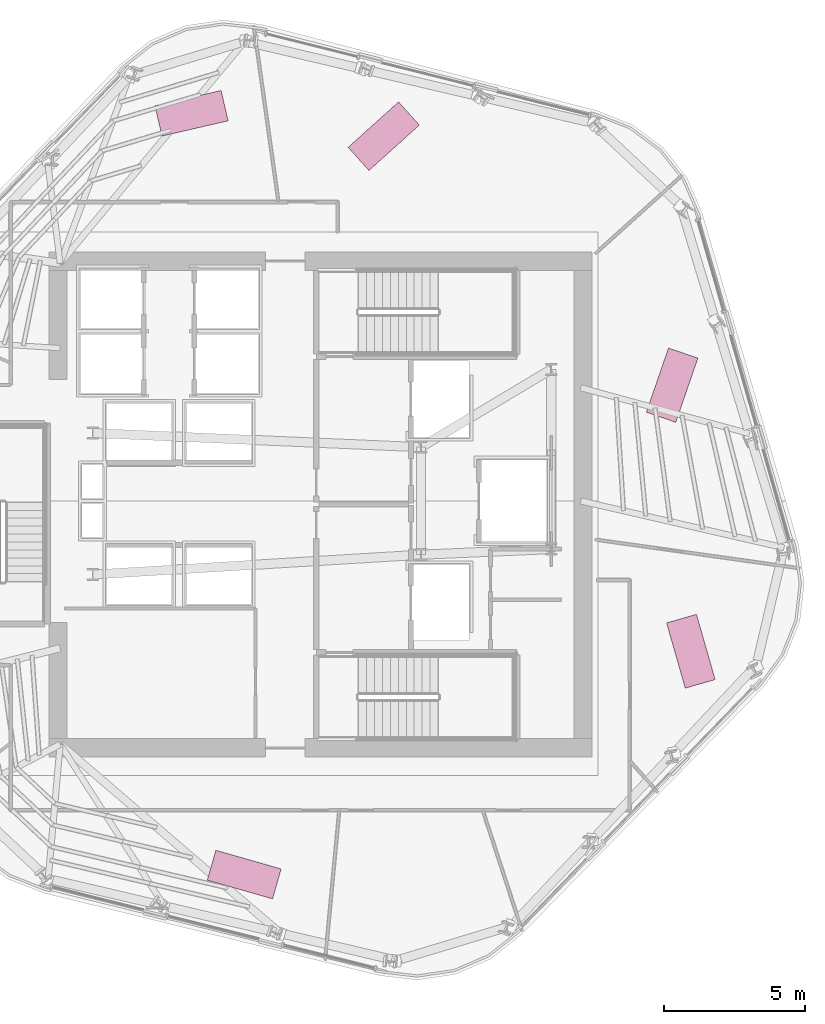
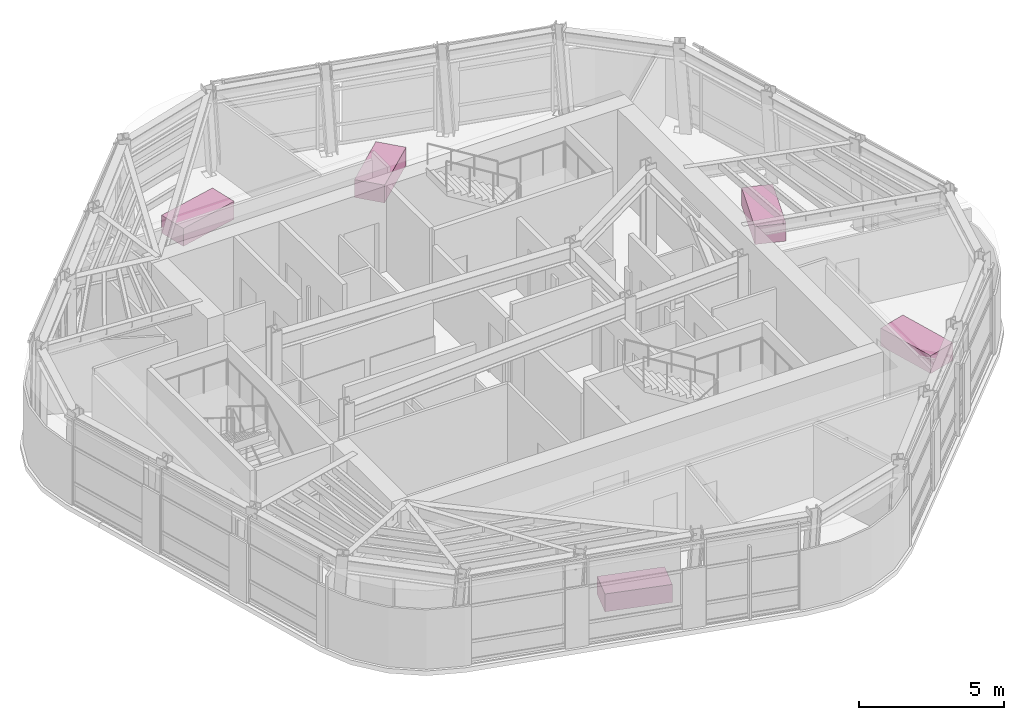
# One storey, part 13 of 13: 5 furniture elements.
"""IFC4 building model written with IfcOpenShell, lengths in metres."""

from ifc_helpers import new_model, si_unit, direction, frame, origin, origin_2d, place, context, subcontext, project, spatial, rectangle, extrude, material, type_object, element, save


model = new_model("IFC4")

# Units and contexts
model_context = context("Model", 3, precision=1e-05, world=origin(), true_north=direction((0.0, 1.0)))
body_context = subcontext(model_context, "Body", "Model", "MODEL_VIEW")
ifc_project = project(units=[si_unit("LENGTHUNIT", "METRE"), si_unit("AREAUNIT", "SQUARE_METRE"), si_unit("VOLUMEUNIT", "CUBIC_METRE"), si_unit("PLANEANGLEUNIT", "RADIAN"), si_unit("MASSUNIT", "GRAM", prefix="KILO")], contexts=[model_context])

# Site, building, storey
site_placement = place(None, origin())
site = spatial("IfcSite", under=ifc_project, at=site_placement, CompositionType="ELEMENT")
building_placement = place(site_placement, origin())
building = spatial("IfcBuilding", under=site, at=building_placement, Name="Valkerne Bourse Tower", CompositionType="ELEMENT")
storey_placement = place(building_placement, frame((0.0, 0.0, 220.800048828125)))
storey = spatial("IfcBuildingStorey", under=building, at=storey_placement, Name="L56", CompositionType="ELEMENT", Elevation=220.800048828125)

# Furniture
ifc_material = material(Name="Architectural White Oak Timber", Category="wood")
furniture_type = type_object("IfcFurnitureType", Name="FURN-DESK-2400", AssemblyPlace="NOTDEFINED", PredefinedType="DESK", material=ifc_material)
for number, where, z_axis, x_axis, name in (
    (1, (59.886962890625, 21.68896484375, 0.044921875), (0.0, 0.0, 1.0), (-0.275637355817, 0.961261695938, 0.0), "L56 Suite Worktable 06"),
    (2, (44.10400390625, 13.798095703125, 0.044921875), (0.0, 0.0, 1.0), (-0.961261695938, 0.275637355817, 0.0), "L56 Suite Worktable 08"),
    (3, (42.242919921875, 40.698974609375, 0.044921875), (0.0, 0.0, 1.0), (0.974370064785, 0.224951054344, 0.0), "L56 Suite Worktable 09"),
    (4, (49.034912109375, 39.888916015625, 0.044921875), (0.0, 0.0, 1.0), (0.743144825477, 0.669130606359, 0.0), "L56 Suite Worktable 10"),
    (5, (59.22509765625, 31.092041015625, 0.044921875), (0.0, 0.0, 1.0), (0.325568154457, 0.945518575599, 0.0), "L56 Suite Worktable 11"),
):
    element("IfcFurniture", number, at=place(storey_placement, frame(where, z_axis=z_axis, x_axis=x_axis)), inside=storey, type_object=furniture_type, Name=name, PredefinedType="DESK", context=body_context, shape_type="SweptSolid", body=[
        extrude(rectangle(XDim=2.39990234375, YDim=1.10009765625, at=origin_2d()), origin(), (0.0, 0.0, 1.0), 0.75),
    ])

save(model, "model.ifc")
